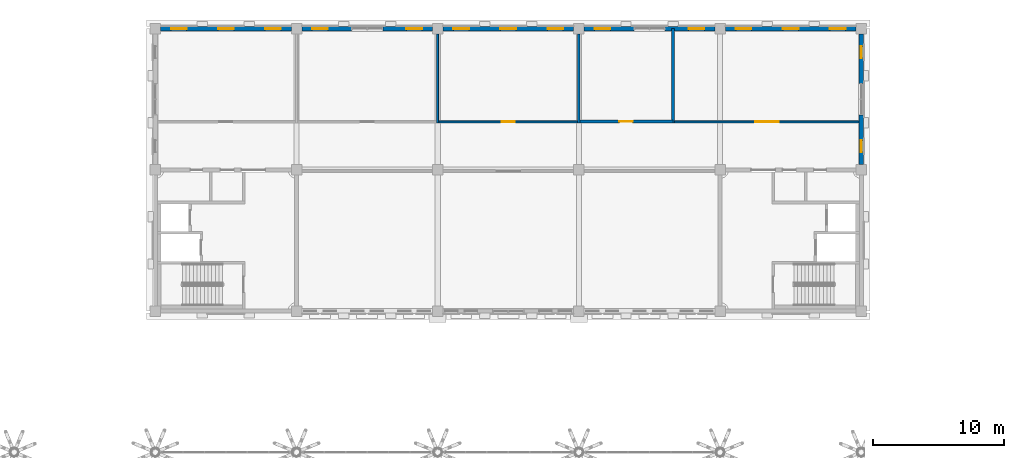
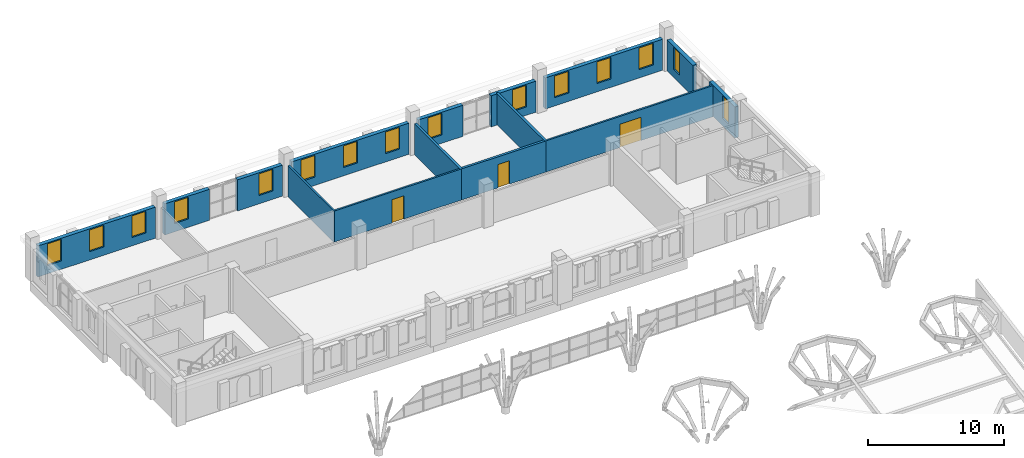
# One storey, part 34 of 42: 15 walls, 15 windows, 3 doors, 18 openings.
"""IFC4 building model written with IfcOpenShell, lengths in metres."""

from ifc_helpers import new_model, si_unit, direction, frame, frame_2d, origin, place, context, subcontext, project, spatial, rectangle, extrude, material, layer, layer_set, type_object, element, fill, save


model = new_model("IFC4")

# Units and contexts
model_context = context("Model", 3, precision=1e-05, world=origin(), true_north=direction((0.0, 1.0)))
body_context = subcontext(model_context, "Body", "Model", "MODEL_VIEW")
ifc_project = project(units=[si_unit("LENGTHUNIT", "METRE"), si_unit("AREAUNIT", "SQUARE_METRE"), si_unit("VOLUMEUNIT", "CUBIC_METRE"), si_unit("PLANEANGLEUNIT", "RADIAN"), si_unit("MASSUNIT", "GRAM", prefix="KILO")], contexts=[model_context])

# Site, building, storey
site_placement = place(None, origin())
site = spatial("IfcSite", under=ifc_project, at=site_placement, CompositionType="ELEMENT")
building_placement = place(site_placement, origin())
building = spatial("IfcBuilding", under=site, at=building_placement, Name="Magnolia Steps Interchange", CompositionType="ELEMENT")
storey_placement = place(building_placement, frame((0.0, 0.0, 12.60009765625)))
storey = spatial("IfcBuildingStorey", under=building, at=storey_placement, Name="L03", CompositionType="ELEMENT", Elevation=12.60009765625)

# Wall, opening, door
ifc_material_1 = material(Name="Fair-faced blockwork", Category="masonry")
ifc_layer_1 = layer(ifc_material_1, 0.199951171875)
ifc_layer_set_1 = layer_set([ifc_layer_1], Name="Fire partition wall 200")
wall_type_1 = type_object("IfcWallType", Name="Fire partition wall 200", PredefinedType="PARTITIONING", material=ifc_layer_set_1)
wall_1_placement = place(storey_placement, frame((96.39990234375, 110.89990234375, 0.0), z_axis=(0.0, 0.0, 1.0), x_axis=(1.0, 0.0, 0.0)))
wall_1 = element("IfcWall", 1, at=wall_1_placement, inside=storey, type_object=wall_type_1, Name="L03 partition 7", PredefinedType="PARTITIONING", context=body_context, shape_type="SweptSolid", body=[
    extrude(rectangle(XDim=7.2001953125, YDim=0.199951171875, at=frame_2d((3.60009765625, 0.0))), origin(), (0.0, 0.0, 1.0), 2.7998046875),
])
opening_1_placement = place(wall_1_placement, frame((3.10009765625, 0.0, 0.0)))
opening_1 = element("IfcOpeningElement", 2, at=opening_1_placement, cuts=wall_1, Name="Opening D-L03-5", PredefinedType="OPENING", context=body_context, shape_type="SweptSolid", body=[
    extrude(rectangle(XDim=1.0, YDim=2.10009765625, at=frame_2d((0.5, 1.050048828125))), frame((0.0, 0.10986328125, 0.0), z_axis=(0.0, -1.0, 0.0), x_axis=(1.0, 0.0, 0.0)), (0.0, 0.0, 1.0), 0.219970703125),
])
ifc_material_2 = material(Name="Painted steel", Category="steel")
door_type_1 = type_object("IfcDoorType", Name="Plant room door 1000x2100", OperationType="NOTDEFINED", PredefinedType="DOOR", material=ifc_material_2)
door_1_placement = place(opening_1_placement, origin())
door_1 = element("IfcDoor", 3, at=door_1_placement, inside=storey, type_object=door_type_1, Name="Print and Supplies Store door", OperationType="SINGLE_SWING_LEFT", OverallHeight=2.10009765625, OverallWidth=1.0, PredefinedType="DOOR", context=body_context, shape_type="SweptSolid", body=[
    extrude(rectangle(XDim=1.0, YDim=2.10009765625, at=frame_2d((0.5, 1.050048828125))), frame((0.0, 0.02490234375, 0.0), z_axis=(0.0, -1.0, 0.0), x_axis=(1.0, 0.0, 0.0)), (0.0, 0.0, 1.0), 0.050048828125),
])
fill(opening_1, door_1)

# Walls
wall_2_placement = place(storey_placement, frame((96.39990234375, 110.800048828125, 0.0), z_axis=(0.0, 0.0, 1.0), x_axis=(0.0, 1.0, 0.0)))
element("IfcWall", 4, at=wall_2_placement, inside=storey, type_object=wall_type_1, Name="L03 partition 11", PredefinedType="PARTITIONING", context=body_context, shape_type="SweptSolid", body=[
    extrude(rectangle(XDim=6.780029296875, YDim=0.199951171875, at=frame_2d((3.39013671875, 0.0))), origin(), (0.0, 0.0, 1.0), 2.7998046875),
])
wall_3_placement = place(storey_placement, frame((103.60009765625, 110.800048828125, 0.0), z_axis=(0.0, 0.0, 1.0), x_axis=(0.0, 1.0, 0.0)))
element("IfcWall", 5, at=wall_3_placement, inside=storey, type_object=wall_type_1, Name="L03 partition 12", PredefinedType="PARTITIONING", context=body_context, shape_type="SweptSolid", body=[
    extrude(rectangle(XDim=7.199951171875, YDim=0.199951171875, at=frame_2d((3.60009765625, 0.0))), origin(), (0.0, 0.0, 1.0), 2.7998046875),
])

# Wall, openings, windows
ifc_material_3 = material(Name="Lime render on masonry", Category="masonry")
ifc_layer_2 = layer(ifc_material_3, 0.324951171875)
ifc_layer_set_2 = layer_set([ifc_layer_2], Name="Lime render wall 325")
wall_type_2 = type_object("IfcWallType", Name="Lime render wall 325", PredefinedType="SOLIDWALL", material=ifc_layer_set_2)
wall_4_placement = place(storey_placement, frame((64.39990234375, 118.0, 0.0), z_axis=(0.0, 0.0, 1.0), x_axis=(1.0, 0.0, 0.0)))
wall_4 = element("IfcWall", 6, at=wall_4_placement, inside=storey, type_object=wall_type_2, Name="Operations building north wall L03 pier 1", PredefinedType="SOLIDWALL", context=body_context, shape_type="SweptSolid", body=[
    extrude(rectangle(XDim=10.0, YDim=0.324951171875, at=frame_2d((5.0, 0.0))), origin(), (0.0, 0.0, 1.0), 2.7998046875),
])
opening_2_placement = place(wall_4_placement, frame((0.800048828125, 0.0, 0.75)))
opening_2 = element("IfcOpeningElement", 7, at=opening_2_placement, cuts=wall_4, Name="Opening WN1", PredefinedType="OPENING", context=body_context, shape_type="SweptSolid", body=[
    extrude(rectangle(XDim=1.199951171875, YDim=1.949951171875, at=frame_2d((0.60009765625, 0.97509765625))), frame((0.0, 0.17236328125, 0.0), z_axis=(0.0, -1.0, 0.0), x_axis=(1.0, 0.0, 0.0)), (0.0, 0.0, 1.0), 0.344970703125),
])
opening_3_placement = place(wall_4_placement, frame((4.39990234375, 0.0, 0.75)))
opening_3 = element("IfcOpeningElement", 8, at=opening_3_placement, cuts=wall_4, Name="Opening WN1", PredefinedType="OPENING", context=body_context, shape_type="SweptSolid", body=[
    extrude(rectangle(XDim=1.199951171875, YDim=1.949951171875, at=frame_2d((0.60009765625, 0.97509765625))), frame((0.0, 0.17236328125, 0.0), z_axis=(0.0, -1.0, 0.0), x_axis=(1.0, 0.0, 0.0)), (0.0, 0.0, 1.0), 0.344970703125),
])
opening_4_placement = place(wall_4_placement, frame((8.0, 0.0, 0.75)))
opening_4 = element("IfcOpeningElement", 9, at=opening_4_placement, cuts=wall_4, Name="Opening WN1", PredefinedType="OPENING", context=body_context, shape_type="SweptSolid", body=[
    extrude(rectangle(XDim=1.199951171875, YDim=1.949951171875, at=frame_2d((0.60009765625, 0.97509765625))), frame((0.0, 0.17236328125, 0.0), z_axis=(0.0, -1.0, 0.0), x_axis=(1.0, 0.0, 0.0)), (0.0, 0.0, 1.0), 0.344970703125),
])
ifc_material_4 = material(Name="Timber frame with double glazing", Category="wood")
window_type_1 = type_object("IfcWindowType", Name="Tall window 1200 x 1950", PartitioningType="DOUBLE_PANEL_VERTICAL", PredefinedType="WINDOW", material=ifc_material_4)
window_1_placement = place(opening_2_placement, origin())
window_1 = element("IfcWindow", 10, at=window_1_placement, inside=storey, type_object=window_type_1, Name="Window L03 north 1", OverallHeight=1.949951171875, OverallWidth=1.199951171875, PartitioningType="SINGLE_PANEL", PredefinedType="WINDOW", context=body_context, shape_type="SweptSolid", body=[
    extrude(rectangle(XDim=1.199951171875, YDim=1.949951171875, at=frame_2d((0.60009765625, 0.97509765625))), frame((0.0, 0.030029296875, 0.0), z_axis=(0.0, -1.0, 0.0), x_axis=(1.0, 0.0, 0.0)), (0.0, 0.0, 1.0), 0.06005859375),
])
fill(opening_2, window_1)
window_2_placement = place(opening_3_placement, origin())
window_2 = element("IfcWindow", 11, at=window_2_placement, inside=storey, type_object=window_type_1, Name="Window L03 north 2", OverallHeight=1.949951171875, OverallWidth=1.199951171875, PartitioningType="SINGLE_PANEL", PredefinedType="WINDOW", context=body_context, shape_type="SweptSolid", body=[
    extrude(rectangle(XDim=1.199951171875, YDim=1.949951171875, at=frame_2d((0.60009765625, 0.97509765625))), frame((0.0, 0.030029296875, 0.0), z_axis=(0.0, -1.0, 0.0), x_axis=(1.0, 0.0, 0.0)), (0.0, 0.0, 1.0), 0.06005859375),
])
fill(opening_3, window_2)
window_3_placement = place(opening_4_placement, origin())
window_3 = element("IfcWindow", 12, at=window_3_placement, inside=storey, type_object=window_type_1, Name="Window L03 north 3", OverallHeight=1.949951171875, OverallWidth=1.199951171875, PartitioningType="SINGLE_PANEL", PredefinedType="WINDOW", context=body_context, shape_type="SweptSolid", body=[
    extrude(rectangle(XDim=1.199951171875, YDim=1.949951171875, at=frame_2d((0.60009765625, 0.97509765625))), frame((0.0, 0.030029296875, 0.0), z_axis=(0.0, -1.0, 0.0), x_axis=(1.0, 0.0, 0.0)), (0.0, 0.0, 1.0), 0.06005859375),
])
fill(opening_4, window_3)

# Wall, opening, window
wall_5_placement = place(storey_placement, frame((75.199951171875, 118.0, 0.0), z_axis=(0.0, 0.0, 1.0), x_axis=(1.0, 0.0, 0.0)))
wall_5 = element("IfcWall", 13, at=wall_5_placement, inside=storey, type_object=wall_type_2, Name="Operations building north wall L03 pier 1", PredefinedType="SOLIDWALL", context=body_context, shape_type="SweptSolid", body=[
    extrude(rectangle(XDim=3.800048828125, YDim=0.324951171875, at=frame_2d((1.89990234375, 0.0))), origin(), (0.0, 0.0, 1.0), 2.7998046875),
])
opening_5_placement = place(wall_5_placement, frame((0.800048828125, 0.0, 0.75)))
opening_5 = element("IfcOpeningElement", 14, at=opening_5_placement, cuts=wall_5, Name="Opening WN1", PredefinedType="OPENING", context=body_context, shape_type="SweptSolid", body=[
    extrude(rectangle(XDim=1.199951171875, YDim=1.949951171875, at=frame_2d((0.60009765625, 0.97509765625))), frame((0.0, 0.17236328125, 0.0), z_axis=(0.0, -1.0, 0.0), x_axis=(1.0, 0.0, 0.0)), (0.0, 0.0, 1.0), 0.344970703125),
])
window_4_placement = place(opening_5_placement, origin())
window_4 = element("IfcWindow", 15, at=window_4_placement, inside=storey, type_object=window_type_1, Name="Window L03 north 4", OverallHeight=1.949951171875, OverallWidth=1.199951171875, PartitioningType="SINGLE_PANEL", PredefinedType="WINDOW", context=body_context, shape_type="SweptSolid", body=[
    extrude(rectangle(XDim=1.199951171875, YDim=1.949951171875, at=frame_2d((0.60009765625, 0.97509765625))), frame((0.0, 0.030029296875, 0.0), z_axis=(0.0, -1.0, 0.0), x_axis=(1.0, 0.0, 0.0)), (0.0, 0.0, 1.0), 0.06005859375),
])
fill(opening_5, window_4)

wall_6_placement = place(storey_placement, frame((81.39990234375, 118.0, 0.0), z_axis=(0.0, 0.0, 1.0), x_axis=(1.0, 0.0, 0.0)))
wall_6 = element("IfcWall", 16, at=wall_6_placement, inside=storey, type_object=wall_type_2, Name="Operations building north wall L03 pier 3", PredefinedType="SOLIDWALL", context=body_context, shape_type="SweptSolid", body=[
    extrude(rectangle(XDim=3.800048828125, YDim=0.324951171875, at=frame_2d((1.89990234375, 0.0))), origin(), (0.0, 0.0, 1.0), 2.7998046875),
])
opening_6_placement = place(wall_6_placement, frame((1.800048828125, 0.0, 0.75)))
opening_6 = element("IfcOpeningElement", 17, at=opening_6_placement, cuts=wall_6, Name="Opening WN1", PredefinedType="OPENING", context=body_context, shape_type="SweptSolid", body=[
    extrude(rectangle(XDim=1.199951171875, YDim=1.949951171875, at=frame_2d((0.60009765625, 0.97509765625))), frame((0.0, 0.17236328125, 0.0), z_axis=(0.0, -1.0, 0.0), x_axis=(1.0, 0.0, 0.0)), (0.0, 0.0, 1.0), 0.344970703125),
])
window_5_placement = place(opening_6_placement, origin())
window_5 = element("IfcWindow", 18, at=window_5_placement, inside=storey, type_object=window_type_1, Name="Window L03 north 6", OverallHeight=1.949951171875, OverallWidth=1.199951171875, PartitioningType="SINGLE_PANEL", PredefinedType="WINDOW", context=body_context, shape_type="SweptSolid", body=[
    extrude(rectangle(XDim=1.199951171875, YDim=1.949951171875, at=frame_2d((0.60009765625, 0.97509765625))), frame((0.0, 0.030029296875, 0.0), z_axis=(0.0, -1.0, 0.0), x_axis=(1.0, 0.0, 0.0)), (0.0, 0.0, 1.0), 0.06005859375),
])
fill(opening_6, window_5)

# Wall, openings, windows
wall_7_placement = place(storey_placement, frame((86.0, 118.0, 0.0), z_axis=(0.0, 0.0, 1.0), x_axis=(1.0, 0.0, 0.0)))
wall_7 = element("IfcWall", 19, at=wall_7_placement, inside=storey, type_object=wall_type_2, Name="Operations building north wall L03 pier 3", PredefinedType="SOLIDWALL", context=body_context, shape_type="SweptSolid", body=[
    extrude(rectangle(XDim=10.0, YDim=0.324951171875, at=frame_2d((5.0, 0.0))), origin(), (0.0, 0.0, 1.0), 2.7998046875),
])
opening_7_placement = place(wall_7_placement, frame((0.800048828125, 0.0, 0.75)))
opening_7 = element("IfcOpeningElement", 20, at=opening_7_placement, cuts=wall_7, Name="Opening WN1", PredefinedType="OPENING", context=body_context, shape_type="SweptSolid", body=[
    extrude(rectangle(XDim=1.199951171875, YDim=1.949951171875, at=frame_2d((0.60009765625, 0.97509765625))), frame((0.0, 0.17236328125, 0.0), z_axis=(0.0, -1.0, 0.0), x_axis=(1.0, 0.0, 0.0)), (0.0, 0.0, 1.0), 0.344970703125),
])
opening_8_placement = place(wall_7_placement, frame((4.39990234375, 0.0, 0.75)))
opening_8 = element("IfcOpeningElement", 21, at=opening_8_placement, cuts=wall_7, Name="Opening WN1", PredefinedType="OPENING", context=body_context, shape_type="SweptSolid", body=[
    extrude(rectangle(XDim=1.199951171875, YDim=1.949951171875, at=frame_2d((0.60009765625, 0.97509765625))), frame((0.0, 0.17236328125, 0.0), z_axis=(0.0, -1.0, 0.0), x_axis=(1.0, 0.0, 0.0)), (0.0, 0.0, 1.0), 0.344970703125),
])
opening_9_placement = place(wall_7_placement, frame((8.0, 0.0, 0.75)))
opening_9 = element("IfcOpeningElement", 22, at=opening_9_placement, cuts=wall_7, Name="Opening WN1", PredefinedType="OPENING", context=body_context, shape_type="SweptSolid", body=[
    extrude(rectangle(XDim=1.199951171875, YDim=1.949951171875, at=frame_2d((0.60009765625, 0.97509765625))), frame((0.0, 0.17236328125, 0.0), z_axis=(0.0, -1.0, 0.0), x_axis=(1.0, 0.0, 0.0)), (0.0, 0.0, 1.0), 0.344970703125),
])
window_6_placement = place(opening_7_placement, origin())
window_6 = element("IfcWindow", 23, at=window_6_placement, inside=storey, type_object=window_type_1, Name="Window L03 north 7", OverallHeight=1.949951171875, OverallWidth=1.199951171875, PartitioningType="SINGLE_PANEL", PredefinedType="WINDOW", context=body_context, shape_type="SweptSolid", body=[
    extrude(rectangle(XDim=1.199951171875, YDim=1.949951171875, at=frame_2d((0.60009765625, 0.97509765625))), frame((0.0, 0.030029296875, 0.0), z_axis=(0.0, -1.0, 0.0), x_axis=(1.0, 0.0, 0.0)), (0.0, 0.0, 1.0), 0.06005859375),
])
fill(opening_7, window_6)
window_7_placement = place(opening_8_placement, origin())
window_7 = element("IfcWindow", 24, at=window_7_placement, inside=storey, type_object=window_type_1, Name="Window L03 north 8", OverallHeight=1.949951171875, OverallWidth=1.199951171875, PartitioningType="SINGLE_PANEL", PredefinedType="WINDOW", context=body_context, shape_type="SweptSolid", body=[
    extrude(rectangle(XDim=1.199951171875, YDim=1.949951171875, at=frame_2d((0.60009765625, 0.97509765625))), frame((0.0, 0.030029296875, 0.0), z_axis=(0.0, -1.0, 0.0), x_axis=(1.0, 0.0, 0.0)), (0.0, 0.0, 1.0), 0.06005859375),
])
fill(opening_8, window_7)
window_8_placement = place(opening_9_placement, origin())
window_8 = element("IfcWindow", 25, at=window_8_placement, inside=storey, type_object=window_type_1, Name="Window L03 north 9", OverallHeight=1.949951171875, OverallWidth=1.199951171875, PartitioningType="SINGLE_PANEL", PredefinedType="WINDOW", context=body_context, shape_type="SweptSolid", body=[
    extrude(rectangle(XDim=1.199951171875, YDim=1.949951171875, at=frame_2d((0.60009765625, 0.97509765625))), frame((0.0, 0.030029296875, 0.0), z_axis=(0.0, -1.0, 0.0), x_axis=(1.0, 0.0, 0.0)), (0.0, 0.0, 1.0), 0.06005859375),
])
fill(opening_9, window_8)

# Wall, opening, window
wall_8_placement = place(storey_placement, frame((96.800048828125, 118.0, 0.0), z_axis=(0.0, 0.0, 1.0), x_axis=(1.0, 0.0, 0.0)))
wall_8 = element("IfcWall", 26, at=wall_8_placement, inside=storey, type_object=wall_type_2, Name="Operations building north wall L03 pier 3", PredefinedType="SOLIDWALL", context=body_context, shape_type="SweptSolid", body=[
    extrude(rectangle(XDim=3.800048828125, YDim=0.324951171875, at=frame_2d((1.89990234375, 0.0))), origin(), (0.0, 0.0, 1.0), 2.7998046875),
])
opening_10_placement = place(wall_8_placement, frame((0.800048828125, 0.0, 0.75)))
opening_10 = element("IfcOpeningElement", 27, at=opening_10_placement, cuts=wall_8, Name="Opening WN1", PredefinedType="OPENING", context=body_context, shape_type="SweptSolid", body=[
    extrude(rectangle(XDim=1.199951171875, YDim=1.949951171875, at=frame_2d((0.60009765625, 0.97509765625))), frame((0.0, 0.17236328125, 0.0), z_axis=(0.0, -1.0, 0.0), x_axis=(1.0, 0.0, 0.0)), (0.0, 0.0, 1.0), 0.344970703125),
])
window_9_placement = place(opening_10_placement, origin())
window_9 = element("IfcWindow", 28, at=window_9_placement, inside=storey, type_object=window_type_1, Name="Window L03 north 10", OverallHeight=1.949951171875, OverallWidth=1.199951171875, PartitioningType="SINGLE_PANEL", PredefinedType="WINDOW", context=body_context, shape_type="SweptSolid", body=[
    extrude(rectangle(XDim=1.199951171875, YDim=1.949951171875, at=frame_2d((0.60009765625, 0.97509765625))), frame((0.0, 0.030029296875, 0.0), z_axis=(0.0, -1.0, 0.0), x_axis=(1.0, 0.0, 0.0)), (0.0, 0.0, 1.0), 0.06005859375),
])
fill(opening_10, window_9)

wall_9_placement = place(storey_placement, frame((103.0, 118.0, 0.0), z_axis=(0.0, 0.0, 1.0), x_axis=(1.0, 0.0, 0.0)))
wall_9 = element("IfcWall", 29, at=wall_9_placement, inside=storey, type_object=wall_type_2, Name="Operations building north wall L03 pier 5", PredefinedType="SOLIDWALL", context=body_context, shape_type="SweptSolid", body=[
    extrude(rectangle(XDim=3.800048828125, YDim=0.324951171875, at=frame_2d((1.89990234375, 0.0))), origin(), (0.0, 0.0, 1.0), 2.7998046875),
])
opening_11_placement = place(wall_9_placement, frame((1.800048828125, 0.0, 0.75)))
opening_11 = element("IfcOpeningElement", 30, at=opening_11_placement, cuts=wall_9, Name="Opening WN1", PredefinedType="OPENING", context=body_context, shape_type="SweptSolid", body=[
    extrude(rectangle(XDim=1.199951171875, YDim=1.949951171875, at=frame_2d((0.60009765625, 0.97509765625))), frame((0.0, 0.17236328125, 0.0), z_axis=(0.0, -1.0, 0.0), x_axis=(1.0, 0.0, 0.0)), (0.0, 0.0, 1.0), 0.344970703125),
])
window_10_placement = place(opening_11_placement, origin())
window_10 = element("IfcWindow", 31, at=window_10_placement, inside=storey, type_object=window_type_1, Name="Window L03 north 12", OverallHeight=1.949951171875, OverallWidth=1.199951171875, PartitioningType="SINGLE_PANEL", PredefinedType="WINDOW", context=body_context, shape_type="SweptSolid", body=[
    extrude(rectangle(XDim=1.199951171875, YDim=1.949951171875, at=frame_2d((0.60009765625, 0.97509765625))), frame((0.0, 0.030029296875, 0.0), z_axis=(0.0, -1.0, 0.0), x_axis=(1.0, 0.0, 0.0)), (0.0, 0.0, 1.0), 0.06005859375),
])
fill(opening_11, window_10)

# Wall, openings, windows
wall_10_placement = place(storey_placement, frame((107.60009765625, 118.0, 0.0), z_axis=(0.0, 0.0, 1.0), x_axis=(1.0, 0.0, 0.0)))
wall_10 = element("IfcWall", 32, at=wall_10_placement, inside=storey, type_object=wall_type_2, Name="Operations building north wall L03 pier 5", PredefinedType="SOLIDWALL", context=body_context, shape_type="SweptSolid", body=[
    extrude(rectangle(XDim=10.0, YDim=0.324951171875, at=frame_2d((5.0, 0.0))), origin(), (0.0, 0.0, 1.0), 2.7998046875),
])
opening_12_placement = place(wall_10_placement, frame((0.800048828125, 0.0, 0.75)))
opening_12 = element("IfcOpeningElement", 33, at=opening_12_placement, cuts=wall_10, Name="Opening WN1", PredefinedType="OPENING", context=body_context, shape_type="SweptSolid", body=[
    extrude(rectangle(XDim=1.199951171875, YDim=1.949951171875, at=frame_2d((0.60009765625, 0.97509765625))), frame((0.0, 0.17236328125, 0.0), z_axis=(0.0, -1.0, 0.0), x_axis=(1.0, 0.0, 0.0)), (0.0, 0.0, 1.0), 0.344970703125),
])
opening_13_placement = place(wall_10_placement, frame((4.39990234375, 0.0, 0.75)))
opening_13 = element("IfcOpeningElement", 34, at=opening_13_placement, cuts=wall_10, Name="Opening WN1", PredefinedType="OPENING", context=body_context, shape_type="SweptSolid", body=[
    extrude(rectangle(XDim=1.199951171875, YDim=1.949951171875, at=frame_2d((0.60009765625, 0.97509765625))), frame((0.0, 0.17236328125, 0.0), z_axis=(0.0, -1.0, 0.0), x_axis=(1.0, 0.0, 0.0)), (0.0, 0.0, 1.0), 0.344970703125),
])
opening_14_placement = place(wall_10_placement, frame((8.0, 0.0, 0.75)))
opening_14 = element("IfcOpeningElement", 35, at=opening_14_placement, cuts=wall_10, Name="Opening WN1", PredefinedType="OPENING", context=body_context, shape_type="SweptSolid", body=[
    extrude(rectangle(XDim=1.199951171875, YDim=1.949951171875, at=frame_2d((0.60009765625, 0.97509765625))), frame((0.0, 0.17236328125, 0.0), z_axis=(0.0, -1.0, 0.0), x_axis=(1.0, 0.0, 0.0)), (0.0, 0.0, 1.0), 0.344970703125),
])
window_11_placement = place(opening_12_placement, origin())
window_11 = element("IfcWindow", 36, at=window_11_placement, inside=storey, type_object=window_type_1, Name="Window L03 north 13", OverallHeight=1.949951171875, OverallWidth=1.199951171875, PartitioningType="SINGLE_PANEL", PredefinedType="WINDOW", context=body_context, shape_type="SweptSolid", body=[
    extrude(rectangle(XDim=1.199951171875, YDim=1.949951171875, at=frame_2d((0.60009765625, 0.97509765625))), frame((0.0, 0.030029296875, 0.0), z_axis=(0.0, -1.0, 0.0), x_axis=(1.0, 0.0, 0.0)), (0.0, 0.0, 1.0), 0.06005859375),
])
fill(opening_12, window_11)
window_12_placement = place(opening_13_placement, origin())
window_12 = element("IfcWindow", 37, at=window_12_placement, inside=storey, type_object=window_type_1, Name="Window L03 north 14", OverallHeight=1.949951171875, OverallWidth=1.199951171875, PartitioningType="SINGLE_PANEL", PredefinedType="WINDOW", context=body_context, shape_type="SweptSolid", body=[
    extrude(rectangle(XDim=1.199951171875, YDim=1.949951171875, at=frame_2d((0.60009765625, 0.97509765625))), frame((0.0, 0.030029296875, 0.0), z_axis=(0.0, -1.0, 0.0), x_axis=(1.0, 0.0, 0.0)), (0.0, 0.0, 1.0), 0.06005859375),
])
fill(opening_13, window_12)
window_13_placement = place(opening_14_placement, origin())
window_13 = element("IfcWindow", 38, at=window_13_placement, inside=storey, type_object=window_type_1, Name="Window L03 north 15", OverallHeight=1.949951171875, OverallWidth=1.199951171875, PartitioningType="SINGLE_PANEL", PredefinedType="WINDOW", context=body_context, shape_type="SweptSolid", body=[
    extrude(rectangle(XDim=1.199951171875, YDim=1.949951171875, at=frame_2d((0.60009765625, 0.97509765625))), frame((0.0, 0.030029296875, 0.0), z_axis=(0.0, -1.0, 0.0), x_axis=(1.0, 0.0, 0.0)), (0.0, 0.0, 1.0), 0.06005859375),
])
fill(opening_14, window_13)

# Wall, opening, window
wall_11_placement = place(storey_placement, frame((118.0, 107.60009765625, 0.0), z_axis=(0.0, 0.0, 1.0), x_axis=(0.0, 1.0, 0.0)))
wall_11 = element("IfcWall", 39, at=wall_11_placement, inside=storey, type_object=wall_type_2, Name="Operations building east wall L03 pier 1", PredefinedType="SOLIDWALL", context=body_context, shape_type="SweptSolid", body=[
    extrude(rectangle(XDim=3.7998046875, YDim=0.324951171875, at=frame_2d((1.89990234375, 0.0))), origin(), (0.0, 0.0, 1.0), 2.7998046875),
])
opening_15_placement = place(wall_11_placement, frame((0.949951171875, 0.0, 0.699951171875)))
opening_15 = element("IfcOpeningElement", 40, at=opening_15_placement, cuts=wall_11, Name="Opening WN10", PredefinedType="OPENING", context=body_context, shape_type="SweptSolid", body=[
    extrude(rectangle(XDim=0.89990234375, YDim=2.0, at=frame_2d((0.449951171875, 1.0))), frame((0.0, 0.17236328125, 0.0), z_axis=(0.0, -1.0, 0.0), x_axis=(1.0, 0.0, 0.0)), (0.0, 0.0, 1.0), 0.344970703125),
])
ifc_material_5 = material(Name="Timber frame with double glazing", Category="wood")
window_type_2 = type_object("IfcWindowType", Name="Gable end window 900 x 2000", PartitioningType="SINGLE_PANEL", PredefinedType="WINDOW", material=ifc_material_5)
window_14_placement = place(opening_15_placement, origin())
window_14 = element("IfcWindow", 41, at=window_14_placement, inside=storey, type_object=window_type_2, Name="Window L03 east 1", OverallHeight=2.0, OverallWidth=0.89990234375, PartitioningType="SINGLE_PANEL", PredefinedType="WINDOW", context=body_context, shape_type="SweptSolid", body=[
    extrude(rectangle(XDim=0.89990234375, YDim=2.0, at=frame_2d((0.449951171875, 1.0))), frame((0.0, 0.030029296875, 0.0), z_axis=(0.0, -1.0, 0.0), x_axis=(1.0, 0.0, 0.0)), (0.0, 0.0, 1.0), 0.06005859375),
])
fill(opening_15, window_14)

wall_12_placement = place(storey_placement, frame((118.0, 113.800048828125, 0.0), z_axis=(0.0, 0.0, 1.0), x_axis=(0.0, 1.0, 0.0)))
wall_12 = element("IfcWall", 42, at=wall_12_placement, inside=storey, type_object=wall_type_2, Name="Operations building east wall L03 pier 3", PredefinedType="SOLIDWALL", context=body_context, shape_type="SweptSolid", body=[
    extrude(rectangle(XDim=3.800048828125, YDim=0.324951171875, at=frame_2d((1.89990234375, 0.0))), origin(), (0.0, 0.0, 1.0), 2.7998046875),
])
opening_16_placement = place(wall_12_placement, frame((1.949951171875, 0.0, 0.699951171875)))
opening_16 = element("IfcOpeningElement", 43, at=opening_16_placement, cuts=wall_12, Name="Opening WN10", PredefinedType="OPENING", context=body_context, shape_type="SweptSolid", body=[
    extrude(rectangle(XDim=0.89990234375, YDim=2.0, at=frame_2d((0.449951171875, 1.0))), frame((0.0, 0.17236328125, 0.0), z_axis=(0.0, -1.0, 0.0), x_axis=(1.0, 0.0, 0.0)), (0.0, 0.0, 1.0), 0.344970703125),
])
window_15_placement = place(opening_16_placement, origin())
window_15 = element("IfcWindow", 44, at=window_15_placement, inside=storey, type_object=window_type_2, Name="Window L03 east 3", OverallHeight=2.0, OverallWidth=0.89990234375, PartitioningType="SINGLE_PANEL", PredefinedType="WINDOW", context=body_context, shape_type="SweptSolid", body=[
    extrude(rectangle(XDim=0.89990234375, YDim=2.0, at=frame_2d((0.449951171875, 1.0))), frame((0.0, 0.030029296875, 0.0), z_axis=(0.0, -1.0, 0.0), x_axis=(1.0, 0.0, 0.0)), (0.0, 0.0, 1.0), 0.06005859375),
])
fill(opening_16, window_15)

# Wall, opening, door
ifc_material_6 = material(Name="Fair-faced blockwork", Category="masonry")
ifc_layer_3 = layer(ifc_material_6, 0.14990234375)
ifc_layer_set_3 = layer_set([ifc_layer_3], Name="Partition wall 150")
wall_type_3 = type_object("IfcWallType", Name="Partition wall 150", PredefinedType="PARTITIONING", material=ifc_layer_set_3)
wall_13_placement = place(storey_placement, frame((85.60009765625, 110.875, 0.0), z_axis=(0.0, 0.0, 1.0), x_axis=(1.0, 0.0, 0.0)))
wall_13 = element("IfcWall", 45, at=wall_13_placement, inside=storey, type_object=wall_type_3, Name="L03 partition 6", PredefinedType="PARTITIONING", context=body_context, shape_type="SweptSolid", body=[
    extrude(rectangle(XDim=10.7998046875, YDim=0.14990234375, at=frame_2d((5.39990234375, 0.0))), origin(), (0.0, 0.0, 1.0), 2.7998046875),
])
opening_17_placement = place(wall_13_placement, frame((4.89990234375, 0.0, 0.0)))
opening_17 = element("IfcOpeningElement", 46, at=opening_17_placement, cuts=wall_13, Name="Opening D-L03-4", PredefinedType="OPENING", context=body_context, shape_type="SweptSolid", body=[
    extrude(rectangle(XDim=1.0, YDim=2.10009765625, at=frame_2d((0.5, 1.050048828125))), frame((0.0, 0.0849609375, 0.0), z_axis=(0.0, -1.0, 0.0), x_axis=(1.0, 0.0, 0.0)), (0.0, 0.0, 1.0), 0.169921875),
])
ifc_material_7 = material(Name="Timber", Category="wood")
door_type_2 = type_object("IfcDoorType", Name="Room door 1000x2100", OperationType="NOTDEFINED", PredefinedType="DOOR", material=ifc_material_7)
door_2_placement = place(opening_17_placement, frame((1.0, 0.0, 0.0), z_axis=(0.0, 0.0, 1.0), x_axis=(-1.0, 0.0, 0.0)))
door_2 = element("IfcDoor", 47, at=door_2_placement, inside=storey, type_object=door_type_2, Name="Meeting Room 3 door", OperationType="SINGLE_SWING_RIGHT", OverallHeight=2.10009765625, OverallWidth=1.0, PredefinedType="DOOR", context=body_context, shape_type="SweptSolid", body=[
    extrude(rectangle(XDim=1.0, YDim=2.10009765625, at=frame_2d((0.5, 1.050048828125))), frame((0.0, 0.02490234375, 0.0), z_axis=(0.0, -1.0, 0.0), x_axis=(1.0, 0.0, 0.0)), (0.0, 0.0, 1.0), 0.050048828125),
])
fill(opening_17, door_2)

wall_14_placement = place(storey_placement, frame((103.60009765625, 110.875, 0.0), z_axis=(0.0, 0.0, 1.0), x_axis=(1.0, 0.0, 0.0)))
wall_14 = element("IfcWall", 48, at=wall_14_placement, inside=storey, type_object=wall_type_3, Name="L03 partition 8", PredefinedType="PARTITIONING", context=body_context, shape_type="SweptSolid", body=[
    extrude(rectangle(XDim=14.39990234375, YDim=0.14990234375, at=frame_2d((7.199951171875, 0.0))), origin(), (0.0, 0.0, 1.0), 2.7998046875),
])
opening_18_placement = place(wall_14_placement, frame((6.300048828125, 0.0, 0.0)))
opening_18 = element("IfcOpeningElement", 49, at=opening_18_placement, cuts=wall_14, Name="Opening D-L03-6", PredefinedType="OPENING", context=body_context, shape_type="SweptSolid", body=[
    extrude(rectangle(XDim=1.800048828125, YDim=2.10009765625, at=frame_2d((0.89990234375, 1.050048828125))), frame((0.0, 0.0849609375, 0.0), z_axis=(0.0, -1.0, 0.0), x_axis=(1.0, 0.0, 0.0)), (0.0, 0.0, 1.0), 0.169921875),
])
ifc_material_8 = material(Name="Timber", Category="wood")
door_type_3 = type_object("IfcDoorType", Name="Room door pair 1800x2100", OperationType="DOUBLE_DOOR_DOUBLE_SWING", PredefinedType="DOOR", material=ifc_material_8)
door_3_placement = place(opening_18_placement, origin())
door_3 = element("IfcDoor", 50, at=door_3_placement, inside=storey, type_object=door_type_3, Name="Service Planning Office door", OperationType="DOUBLE_DOOR_DOUBLE_SWING", OverallHeight=2.10009765625, OverallWidth=1.800048828125, PredefinedType="DOOR", context=body_context, shape_type="SweptSolid", body=[
    extrude(rectangle(XDim=1.800048828125, YDim=2.10009765625, at=frame_2d((0.89990234375, 1.050048828125))), frame((0.0, 0.02490234375, 0.0), z_axis=(0.0, -1.0, 0.0), x_axis=(1.0, 0.0, 0.0)), (0.0, 0.0, 1.0), 0.050048828125),
])
fill(opening_18, door_3)

# Wall
wall_15_placement = place(storey_placement, frame((85.60009765625, 110.800048828125, 0.0), z_axis=(0.0, 0.0, 1.0), x_axis=(0.0, 1.0, 0.0)))
element("IfcWall", 51, at=wall_15_placement, inside=storey, type_object=wall_type_3, Name="L03 partition 10", PredefinedType="PARTITIONING", context=body_context, shape_type="SweptSolid", body=[
    extrude(rectangle(XDim=6.780029296875, YDim=0.14990234375, at=frame_2d((3.39013671875, 0.0))), origin(), (0.0, 0.0, 1.0), 2.7998046875),
])

save(model, "model.ifc")
